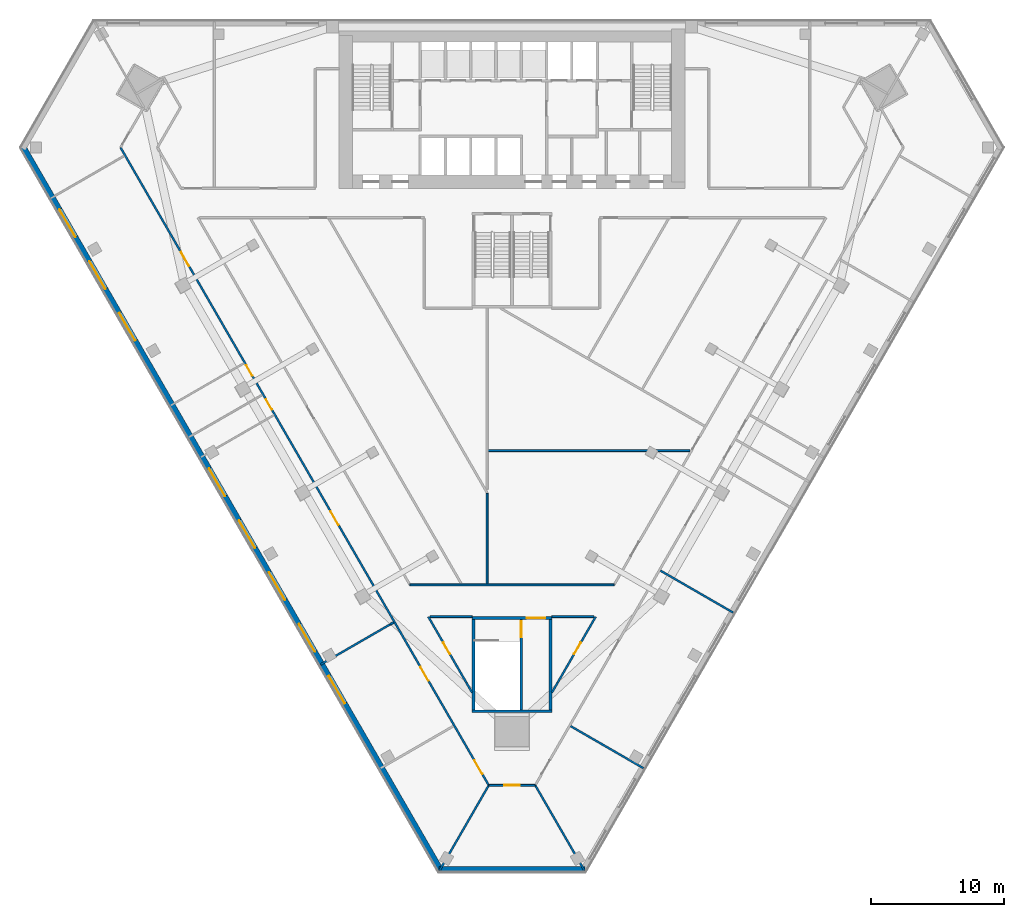
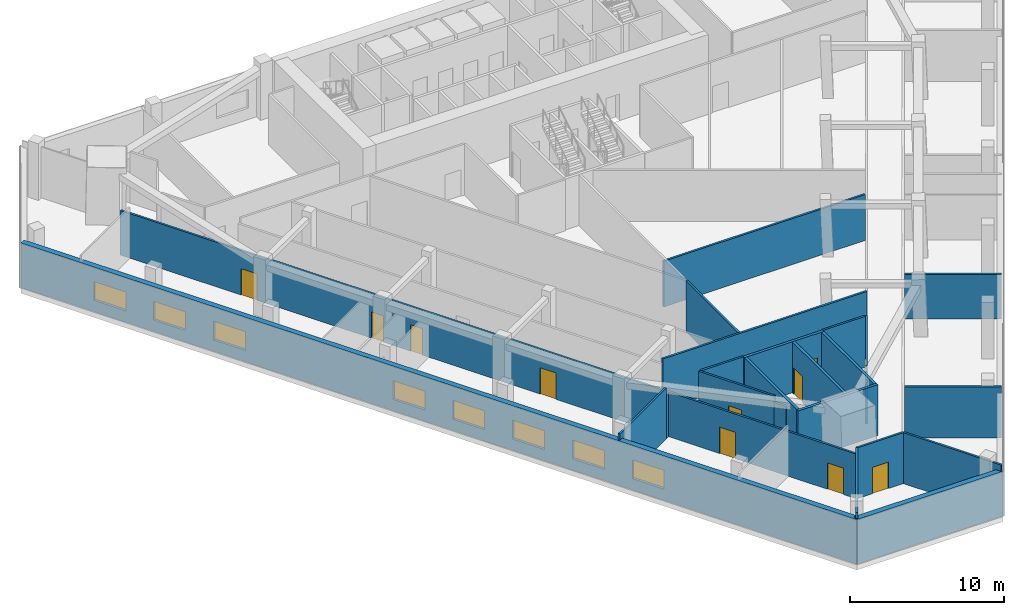
# One storey, part 2 of 9: 24 walls, 11 doors, 8 windows, 19 openings.
"""IFC4 building model written with IfcOpenShell, lengths in metres."""

from ifc_helpers import new_model, si_unit, direction, frame, frame_2d, origin, place, context, subcontext, project, spatial, rectangle, extrude, material, layer, layer_set, type_object, element, fill, save


model = new_model("IFC4")

# Units and contexts
model_context = context("Model", 3, precision=1e-05, world=origin(), true_north=direction((0.0, 1.0)))
body_context = subcontext(model_context, "Body", "Model", "MODEL_VIEW")
ifc_project = project(units=[si_unit("LENGTHUNIT", "METRE"), si_unit("AREAUNIT", "SQUARE_METRE"), si_unit("VOLUMEUNIT", "CUBIC_METRE"), si_unit("PLANEANGLEUNIT", "RADIAN"), si_unit("MASSUNIT", "GRAM", prefix="KILO")], contexts=[model_context])

# Site, building, storey
site_placement = place(None, origin())
site = spatial("IfcSite", under=ifc_project, at=site_placement, CompositionType="ELEMENT")
building_placement = place(site_placement, origin())
building = spatial("IfcBuilding", under=site, at=building_placement, Name="Altiplano Prism Tower", CompositionType="ELEMENT")
storey_placement = place(building_placement, frame((0.0, 0.0, 18.0)))
storey = spatial("IfcBuildingStorey", under=building, at=storey_placement, Name="L03", CompositionType="ELEMENT", Elevation=18.0)

# Wall, openings, doors
ifc_material_1 = material(Name="Plasterboard on steel stud", Category="steel")
ifc_layer_1 = layer(ifc_material_1, 0.14990234375)
ifc_layer_set_1 = layer_set([ifc_layer_1], Name="Plasterboard on steel stud")
wall_type_1 = type_object("IfcWallType", Name="Partition 150 corridor", PredefinedType="PARTITIONING", material=ifc_layer_set_1)
wall_1_placement = place(storey_placement, frame((55.5703125, 95.4736328125, 0.0), z_axis=(0.0, 0.0, 1.0), x_axis=(0.500000085768, -0.866025354266, 0.0)))
wall_1 = element("IfcWall", 1, at=wall_1_placement, inside=storey, type_object=wall_type_1, Name="Partition P06 L03 003", PredefinedType="PARTITIONING", context=body_context, shape_type="SweptSolid", body=[
    extrude(rectangle(XDim=55.36474609375, YDim=0.14990234375, at=frame_2d((27.682373046875, 0.0))), origin(), (0.0, 0.0, 1.0), 3.550048828125),
])
opening_1_placement = place(wall_1_placement, frame((9.08203125, 0.0, 0.0)))
opening_1 = element("IfcOpeningElement", 2, at=opening_1_placement, cuts=wall_1, Name="Opening D0083", PredefinedType="OPENING", context=body_context, shape_type="SweptSolid", body=[
    extrude(rectangle(XDim=1.199951171875, YDim=2.10009765625, at=frame_2d((0.60009765625, 1.050048828125))), frame((0.0, 0.08544921875, 0.0), z_axis=(0.0, -1.0, 0.0), x_axis=(1.0, 0.0, 0.0)), (0.0, 0.0, 1.0), 0.1708984375),
])
opening_2_placement = place(wall_1_placement, frame((18.906005859375, 0.0, 0.0)))
opening_2 = element("IfcOpeningElement", 3, at=opening_2_placement, cuts=wall_1, Name="Opening D0084", PredefinedType="OPENING", context=body_context, shape_type="SweptSolid", body=[
    extrude(rectangle(XDim=0.89990234375, YDim=2.10009765625, at=frame_2d((0.449951171875, 1.050048828125))), frame((0.0, 0.08544921875, 0.0), z_axis=(0.0, -1.0, 0.0), x_axis=(1.0, 0.0, 0.0)), (0.0, 0.0, 1.0), 0.1708984375),
])
opening_3_placement = place(wall_1_placement, frame((21.85595703125, 0.0, 0.0)))
opening_3 = element("IfcOpeningElement", 4, at=opening_3_placement, cuts=wall_1, Name="Opening D0085", PredefinedType="OPENING", context=body_context, shape_type="SweptSolid", body=[
    extrude(rectangle(XDim=0.89990234375, YDim=2.10009765625, at=frame_2d((0.449951171875, 1.050048828125))), frame((0.0, 0.08544921875, 0.0), z_axis=(0.0, -1.0, 0.0), x_axis=(1.0, 0.0, 0.0)), (0.0, 0.0, 1.0), 0.1708984375),
])
opening_4_placement = place(wall_1_placement, frame((31.58203125, 0.0, 0.0)))
opening_4 = element("IfcOpeningElement", 5, at=opening_4_placement, cuts=wall_1, Name="Opening D0086", PredefinedType="OPENING", context=body_context, shape_type="SweptSolid", body=[
    extrude(rectangle(XDim=1.199951171875, YDim=2.10009765625, at=frame_2d((0.60009765625, 1.050048828125))), frame((0.0, 0.08544921875, 0.0), z_axis=(0.0, -1.0, 0.0), x_axis=(1.0, 0.0, 0.0)), (0.0, 0.0, 1.0), 0.1708984375),
])
opening_5_placement = place(wall_1_placement, frame((45.08203125, 0.0, 0.0)))
opening_5 = element("IfcOpeningElement", 6, at=opening_5_placement, cuts=wall_1, Name="Opening D0087", PredefinedType="OPENING", context=body_context, shape_type="SweptSolid", body=[
    extrude(rectangle(XDim=1.199951171875, YDim=2.10009765625, at=frame_2d((0.60009765625, 1.050048828125))), frame((0.0, 0.08544921875, 0.0), z_axis=(0.0, -1.0, 0.0), x_axis=(1.0, 0.0, 0.0)), (0.0, 0.0, 1.0), 0.1708984375),
])
opening_6_placement = place(wall_1_placement, frame((53.195068359375, 0.0, 0.0)))
opening_6 = element("IfcOpeningElement", 7, at=opening_6_placement, cuts=wall_1, Name="Opening D0088", PredefinedType="OPENING", context=body_context, shape_type="SweptSolid", body=[
    extrude(rectangle(XDim=1.199951171875, YDim=2.10009765625, at=frame_2d((0.60009765625, 1.050048828125))), frame((0.0, 0.08544921875, 0.0), z_axis=(0.0, -1.0, 0.0), x_axis=(1.0, 0.0, 0.0)), (0.0, 0.0, 1.0), 0.1708984375),
])
ifc_material_2 = material(Name="Timber", Category="wood")
door_type_1 = type_object("IfcDoorType", Name="Shared room door 1200 x 2100", OperationType="NOTDEFINED", PredefinedType="NOTDEFINED", material=ifc_material_2)
door_1_placement = place(opening_1_placement, origin())
door_1 = element("IfcDoor", 8, at=door_1_placement, inside=storey, type_object=door_type_1, Name="Door D0083", OperationType="SINGLE_SWING_LEFT", OverallHeight=2.10009765625, OverallWidth=1.199951171875, PredefinedType="NOTDEFINED", context=body_context, shape_type="SweptSolid", body=[
    extrude(rectangle(XDim=1.199951171875, YDim=2.10009765625, at=frame_2d((0.60009765625, 1.050048828125))), frame((0.0, 0.02490234375, 0.0), z_axis=(0.0, -1.0, 0.0), x_axis=(1.0, 0.0, 0.0)), (0.0, 0.0, 1.0), 0.050048828125),
])
fill(opening_1, door_1)
door_2_placement = place(opening_4_placement, origin())
door_2 = element("IfcDoor", 9, at=door_2_placement, inside=storey, type_object=door_type_1, Name="Door D0086", OperationType="SINGLE_SWING_RIGHT", OverallHeight=2.10009765625, OverallWidth=1.199951171875, PredefinedType="NOTDEFINED", context=body_context, shape_type="SweptSolid", body=[
    extrude(rectangle(XDim=1.199951171875, YDim=2.10009765625, at=frame_2d((0.60009765625, 1.050048828125))), frame((0.0, 0.02490234375, 0.0), z_axis=(0.0, -1.0, 0.0), x_axis=(1.0, 0.0, 0.0)), (0.0, 0.0, 1.0), 0.050048828125),
])
fill(opening_4, door_2)
door_3_placement = place(opening_5_placement, origin())
door_3 = element("IfcDoor", 10, at=door_3_placement, inside=storey, type_object=door_type_1, Name="Door D0087", OperationType="SINGLE_SWING_RIGHT", OverallHeight=2.10009765625, OverallWidth=1.199951171875, PredefinedType="NOTDEFINED", context=body_context, shape_type="SweptSolid", body=[
    extrude(rectangle(XDim=1.199951171875, YDim=2.10009765625, at=frame_2d((0.60009765625, 1.050048828125))), frame((0.0, 0.02490234375, 0.0), z_axis=(0.0, -1.0, 0.0), x_axis=(1.0, 0.0, 0.0)), (0.0, 0.0, 1.0), 0.050048828125),
])
fill(opening_5, door_3)
door_4_placement = place(opening_6_placement, origin())
door_4 = element("IfcDoor", 11, at=door_4_placement, inside=storey, type_object=door_type_1, Name="Door D0088", OperationType="SINGLE_SWING_RIGHT", OverallHeight=2.10009765625, OverallWidth=1.199951171875, PredefinedType="NOTDEFINED", context=body_context, shape_type="SweptSolid", body=[
    extrude(rectangle(XDim=1.199951171875, YDim=2.10009765625, at=frame_2d((0.60009765625, 1.050048828125))), frame((0.0, 0.02490234375, 0.0), z_axis=(0.0, -1.0, 0.0), x_axis=(1.0, 0.0, 0.0)), (0.0, 0.0, 1.0), 0.050048828125),
])
fill(opening_6, door_4)
door_type_2 = type_object("IfcDoorType", Name="Toilet door 900 x 2100", OperationType="NOTDEFINED", PredefinedType="NOTDEFINED", material=ifc_material_2)
door_5_placement = place(opening_2_placement, origin())
door_5 = element("IfcDoor", 12, at=door_5_placement, inside=storey, type_object=door_type_2, Name="Door D0084", OperationType="SINGLE_SWING_RIGHT", OverallHeight=2.10009765625, OverallWidth=0.89990234375, PredefinedType="NOTDEFINED", context=body_context, shape_type="SweptSolid", body=[
    extrude(rectangle(XDim=0.89990234375, YDim=2.10009765625, at=frame_2d((0.449951171875, 1.050048828125))), frame((0.0, 0.02490234375, 0.0), z_axis=(0.0, -1.0, 0.0), x_axis=(1.0, 0.0, 0.0)), (0.0, 0.0, 1.0), 0.050048828125),
])
fill(opening_2, door_5)
door_6_placement = place(opening_3_placement, origin())
door_6 = element("IfcDoor", 13, at=door_6_placement, inside=storey, type_object=door_type_2, Name="Door D0085", OperationType="SINGLE_SWING_RIGHT", OverallHeight=2.10009765625, OverallWidth=0.89990234375, PredefinedType="NOTDEFINED", context=body_context, shape_type="SweptSolid", body=[
    extrude(rectangle(XDim=0.89990234375, YDim=2.10009765625, at=frame_2d((0.449951171875, 1.050048828125))), frame((0.0, 0.02490234375, 0.0), z_axis=(0.0, -1.0, 0.0), x_axis=(1.0, 0.0, 0.0)), (0.0, 0.0, 1.0), 0.050048828125),
])
fill(opening_3, door_6)

# Wall, opening, door
wall_2_placement = place(storey_placement, frame((83.252685546875, 47.5263671875, 0.0), z_axis=(0.0, 0.0, 1.0), x_axis=(1.0, 0.0, 0.0)))
wall_2 = element("IfcWall", 14, at=wall_2_placement, inside=storey, type_object=wall_type_1, Name="Partition P06 L03 004", PredefinedType="PARTITIONING", context=body_context, shape_type="SweptSolid", body=[
    extrude(rectangle(XDim=3.49462890625, YDim=0.14990234375, at=frame_2d((1.747314453125, 0.0))), origin(), (0.0, 0.0, 1.0), 4.050048828125),
])
opening_7_placement = place(wall_2_placement, frame((1.14697265625, 0.0, 0.0)))
opening_7 = element("IfcOpeningElement", 15, at=opening_7_placement, cuts=wall_2, Name="Opening D0089", PredefinedType="OPENING", context=body_context, shape_type="SweptSolid", body=[
    extrude(rectangle(XDim=1.199951171875, YDim=2.10009765625, at=frame_2d((0.60009765625, 1.050048828125))), frame((0.0, 0.08544921875, 0.0), z_axis=(0.0, -1.0, 0.0), x_axis=(1.0, 0.0, 0.0)), (0.0, 0.0, 1.0), 0.1708984375),
])
door_7_placement = place(opening_7_placement, origin())
door_7 = element("IfcDoor", 16, at=door_7_placement, inside=storey, type_object=door_type_1, Name="Door D0089", OperationType="SINGLE_SWING_RIGHT", OverallHeight=2.10009765625, OverallWidth=1.199951171875, PredefinedType="NOTDEFINED", context=body_context, shape_type="SweptSolid", body=[
    extrude(rectangle(XDim=1.199951171875, YDim=2.10009765625, at=frame_2d((0.60009765625, 1.050048828125))), frame((0.0, 0.02490234375, 0.0), z_axis=(0.0, -1.0, 0.0), x_axis=(1.0, 0.0, 0.0)), (0.0, 0.0, 1.0), 0.050048828125),
])
fill(opening_7, door_7)

# Walls
wall_3_placement = place(storey_placement, frame((92.67822265625, 62.60107421875, 0.0), z_axis=(0.0, 0.0, 1.0), x_axis=(-1.0, 0.0, 0.0)))
element("IfcWall", 17, at=wall_3_placement, inside=storey, type_object=wall_type_1, Name="Partition P06 L03 008", PredefinedType="PARTITIONING", context=body_context, shape_type="SweptSolid", body=[
    extrude(rectangle(XDim=15.3564453125, YDim=0.14990234375, at=frame_2d((7.67822265625, 0.0))), origin(), (0.0, 0.0, 1.0), 4.050048828125),
])
wall_4_placement = place(storey_placement, frame((88.0, 60.198974609375, 0.0), z_axis=(0.0, 0.0, 1.0), x_axis=(1.0, 0.0, 0.0)))
element("IfcWall", 18, at=wall_4_placement, inside=storey, type_object=wall_type_1, Name="Partition P06 L03 035", PredefinedType="PARTITIONING", context=body_context, shape_type="SweptSolid", body=[
    extrude(rectangle(XDim=3.161376953125, YDim=0.14990234375, at=frame_2d((1.58056640625, 0.0))), origin(), (0.0, 0.0, 1.0), 4.050048828125),
])

# Wall, opening, door
wall_5_placement = place(storey_placement, frame((91.29150390625, 60.198974609375, 0.0), z_axis=(0.0, 0.0, 1.0), x_axis=(-0.50000363893, -0.866023302837, 0.0)))
wall_5 = element("IfcWall", 19, at=wall_5_placement, inside=storey, type_object=wall_type_1, Name="Partition P06 L03 036", PredefinedType="PARTITIONING", context=body_context, shape_type="SweptSolid", body=[
    extrude(rectangle(XDim=5.68701171875, YDim=0.14990234375, at=frame_2d((2.843505859375, 0.0))), origin(), (0.0, 0.0, 1.0), 4.050048828125),
])
opening_8_placement = place(wall_5_placement, frame((2.242919921875, 0.0, 0.0)))
opening_8 = element("IfcOpeningElement", 20, at=opening_8_placement, cuts=wall_5, Name="Opening D0110", PredefinedType="OPENING", context=body_context, shape_type="SweptSolid", body=[
    extrude(rectangle(XDim=1.0, YDim=2.10009765625, at=frame_2d((0.5, 1.050048828125))), frame((0.0, 0.08544921875, 0.0), z_axis=(0.0, -1.0, 0.0), x_axis=(1.0, 0.0, 0.0)), (0.0, 0.0, 1.0), 0.1708984375),
])
door_type_3 = type_object("IfcDoorType", Name="Room door 1000 x 2100", OperationType="NOTDEFINED", PredefinedType="NOTDEFINED", material=ifc_material_2)
door_8_placement = place(opening_8_placement, origin())
door_8 = element("IfcDoor", 21, at=door_8_placement, inside=storey, type_object=door_type_3, Name="Door D0110", OperationType="SINGLE_SWING_LEFT", OverallHeight=2.10009765625, OverallWidth=1.0, PredefinedType="NOTDEFINED", context=body_context, shape_type="SweptSolid", body=[
    extrude(rectangle(XDim=1.0, YDim=2.10009765625, at=frame_2d((0.5, 1.050048828125))), frame((0.0, 0.02490234375, 0.0), z_axis=(0.0, -1.0, 0.0), x_axis=(1.0, 0.0, 0.0)), (0.0, 0.0, 1.0), 0.050048828125),
])
fill(opening_8, door_8)

# Walls
wall_6_placement = place(storey_placement, frame((88.447998046875, 55.27392578125, 0.0), z_axis=(0.0, 0.0, 1.0), x_axis=(-0.500036959603, -0.866004064096, 0.0)))
element("IfcWall", 22, at=wall_6_placement, inside=storey, type_object=wall_type_1, Name="Partition P06 L03 037", PredefinedType="PARTITIONING", context=body_context, shape_type="SweptSolid", body=[
    extrude(rectangle(XDim=0.89599609375, YDim=0.14990234375, at=frame_2d((0.447998046875, 0.0))), origin(), (0.0, 0.0, 1.0), 3.550048828125),
])
wall_7_placement = place(storey_placement, frame((82.0, 54.498291015625, 0.0), z_axis=(0.0, 0.0, 1.0), x_axis=(-0.499950561895, 0.866053945006, 0.0)))
element("IfcWall", 23, at=wall_7_placement, inside=storey, type_object=wall_type_1, Name="Partition P06 L03 038", PredefinedType="PARTITIONING", context=body_context, shape_type="SweptSolid", body=[
    extrude(rectangle(XDim=0.8955078125, YDim=0.14990234375, at=frame_2d((0.44775390625, 0.0))), origin(), (0.0, 0.0, 1.0), 3.550048828125),
])

# Wall, opening, door
wall_8_placement = place(storey_placement, frame((81.55224609375, 55.27392578125, 0.0), z_axis=(0.0, 0.0, 1.0), x_axis=(-0.50000363893, 0.866023302837, 0.0)))
wall_8 = element("IfcWall", 24, at=wall_8_placement, inside=storey, type_object=wall_type_1, Name="Partition P06 L03 039", PredefinedType="PARTITIONING", context=body_context, shape_type="SweptSolid", body=[
    extrude(rectangle(XDim=5.68701171875, YDim=0.14990234375, at=frame_2d((2.843505859375, 0.0))), origin(), (0.0, 0.0, 1.0), 4.050048828125),
])
opening_9_placement = place(wall_8_placement, frame((2.444091796875, 0.0, 0.0)))
opening_9 = element("IfcOpeningElement", 25, at=opening_9_placement, cuts=wall_8, Name="Opening D0111", PredefinedType="OPENING", context=body_context, shape_type="SweptSolid", body=[
    extrude(rectangle(XDim=1.0, YDim=2.10009765625, at=frame_2d((0.5, 1.050048828125))), frame((0.0, 0.08544921875, 0.0), z_axis=(0.0, -1.0, 0.0), x_axis=(1.0, 0.0, 0.0)), (0.0, 0.0, 1.0), 0.1708984375),
])
door_9_placement = place(opening_9_placement, origin())
door_9 = element("IfcDoor", 26, at=door_9_placement, inside=storey, type_object=door_type_3, Name="Door D0111", OperationType="SINGLE_SWING_RIGHT", OverallHeight=2.10009765625, OverallWidth=1.0, PredefinedType="NOTDEFINED", context=body_context, shape_type="SweptSolid", body=[
    extrude(rectangle(XDim=1.0, YDim=2.10009765625, at=frame_2d((0.5, 1.050048828125))), frame((0.0, 0.02490234375, 0.0), z_axis=(0.0, -1.0, 0.0), x_axis=(1.0, 0.0, 0.0)), (0.0, 0.0, 1.0), 0.050048828125),
])
fill(opening_9, door_9)

# Walls
wall_9_placement = place(storey_placement, frame((78.838623046875, 60.198974609375, 0.0), z_axis=(0.0, 0.0, 1.0), x_axis=(1.0, 0.0, 0.0)))
element("IfcWall", 27, at=wall_9_placement, inside=storey, type_object=wall_type_1, Name="Partition P06 L03 040", PredefinedType="PARTITIONING", context=body_context, shape_type="SweptSolid", body=[
    extrude(rectangle(XDim=3.161376953125, YDim=0.14990234375, at=frame_2d((1.58056640625, 0.0))), origin(), (0.0, 0.0, 1.0), 4.050048828125),
])
ifc_layer_2 = layer(ifc_material_1, 0.14990234375)
ifc_layer_set_2 = layer_set([ifc_layer_2], Name="Plasterboard on steel stud")
wall_type_2 = type_object("IfcWallType", Name="Partition 150 party", PredefinedType="PARTITIONING", material=ifc_layer_set_2)
wall_10_placement = place(storey_placement, frame((70.618896484375, 56.608642578125, 0.0), z_axis=(0.0, 0.0, 1.0), x_axis=(0.866019539041, 0.500010157896, 0.0)))
element("IfcWall", 28, at=wall_10_placement, inside=storey, type_object=wall_type_2, Name="Partition P01 L03 046", PredefinedType="PARTITIONING", context=body_context, shape_type="SweptSolid", body=[
    extrude(rectangle(XDim=6.023193359375, YDim=0.14990234375, at=frame_2d((3.01171875, 0.0))), origin(), (0.0, 0.0, 1.0), 4.050048828125),
])
wall_11_placement = place(storey_placement, frame((75.835205078125, 59.620361328125, 0.0), z_axis=(0.0, 0.0, 1.0), x_axis=(0.866145191815, 0.499792463624, 0.0)))
element("IfcWall", 29, at=wall_11_placement, inside=storey, type_object=wall_type_2, Name="Partition P01 L03 047", PredefinedType="PARTITIONING", context=body_context, shape_type="SweptSolid", body=[
    extrude(rectangle(XDim=0.302001953125, YDim=0.14990234375, at=frame_2d((0.15087890625, 0.0))), origin(), (0.0, 0.0, 1.0), 3.550048828125),
])
for number, where, z_axis, x_axis, name in (
    (30, (79.557861328125, 41.126220703125, 0.0), (0.0, 0.0, 1.0), (0.499969342782, 0.866043103014, 0.0), "Partition P01 L03 049"),
    (31, (90.4423828125, 41.126220703125, 0.0), (0.0, 0.0, 1.0), (-0.499994120305, 0.866028798401, 0.0), "Partition P01 L03 050"),
):
    element("IfcWall", number, at=place(storey_placement, frame(where, z_axis=z_axis, x_axis=x_axis)), inside=storey, type_object=wall_type_2, Name=name, PredefinedType="PARTITIONING", context=body_context, shape_type="SweptSolid", body=[
        extrude(rectangle(XDim=7.39013671875, YDim=0.14990234375, at=frame_2d((3.695068359375, 0.0))), origin(), (0.0, 0.0, 1.0), 4.050048828125),
    ])
wall_12_placement = place(storey_placement, frame((94.881103515625, 48.814453125, 0.0), z_axis=(0.0, 0.0, 1.0), x_axis=(-0.866042250622, 0.499970819286, 0.0)))
element("IfcWall", 32, at=wall_12_placement, inside=storey, type_object=wall_type_2, Name="Partition P01 L03 051", PredefinedType="PARTITIONING", context=body_context, shape_type="SweptSolid", body=[
    extrude(rectangle(XDim=6.3251953125, YDim=0.14990234375, at=frame_2d((3.16259765625, 0.0))), origin(), (0.0, 0.0, 1.0), 4.050048828125),
])
wall_13_placement = place(storey_placement, frame((101.631103515625, 60.505859375, 0.0), z_axis=(0.0, 0.0, 1.0), x_axis=(-0.866042250622, 0.499970819286, 0.0)))
element("IfcWall", 33, at=wall_13_placement, inside=storey, type_object=wall_type_2, Name="Partition P01 L03 052", PredefinedType="PARTITIONING", context=body_context, shape_type="SweptSolid", body=[
    extrude(rectangle(XDim=6.3251953125, YDim=0.14990234375, at=frame_2d((3.16259765625, 0.0))), origin(), (0.0, 0.0, 1.0), 3.550048828125),
])
wall_14_placement = place(storey_placement, frame((83.136962890625, 62.676025390625, 0.0), z_axis=(0.0, 0.0, 1.0), x_axis=(0.0, 1.0, 0.0)))
element("IfcWall", 34, at=wall_14_placement, inside=storey, type_object=wall_type_2, Name="Partition P01 L03 060", PredefinedType="PARTITIONING", context=body_context, shape_type="SweptSolid", body=[
    extrude(rectangle(XDim=6.79345703125, YDim=0.14990234375, at=frame_2d((3.396728515625, 0.0))), origin(), (0.0, 0.0, 1.0), 4.050048828125),
])
wall_15_placement = place(storey_placement, frame((98.367431640625, 72.679931640625, 0.0), z_axis=(0.0, 0.0, 1.0), x_axis=(-1.0, 0.0, 0.0)))
element("IfcWall", 35, at=wall_15_placement, inside=storey, type_object=wall_type_2, Name="Partition P01 L03 063", PredefinedType="PARTITIONING", context=body_context, shape_type="SweptSolid", body=[
    extrude(rectangle(XDim=15.1552734375, YDim=0.14990234375, at=frame_2d((7.57763671875, 0.0))), origin(), (0.0, 0.0, 1.0), 3.64990234375),
])

# Wall, opening, door
ifc_material_3 = material(Name="Concrete C60/75", Category="concrete")
ifc_layer_3 = layer(ifc_material_3, 0.199951171875)
ifc_layer_set_3 = layer_set([ifc_layer_3], Name="Concrete C60/75")
wall_type_3 = type_object("IfcWallType", Name="Stair wall 200", PredefinedType="SOLIDWALL", material=ifc_layer_set_3)
wall_16_placement = place(storey_placement, frame((82.0, 60.10009765625, 0.0), z_axis=(0.0, 0.0, 1.0), x_axis=(1.0, 0.0, 0.0)))
wall_16 = element("IfcWall", 36, at=wall_16_placement, inside=storey, type_object=wall_type_3, Name="Stair 4 wall north L03", PredefinedType="SOLIDWALL", context=body_context, shape_type="SweptSolid", body=[
    extrude(rectangle(XDim=6.0, YDim=0.199951171875, at=frame_2d((3.0, 0.0))), origin(), (0.0, 0.0, 1.0), 4.050048828125),
])
opening_10_placement = place(wall_16_placement, frame((4.10009765625, 0.0, 0.0)))
opening_10 = element("IfcOpeningElement", 37, at=opening_10_placement, cuts=wall_16, Name="Opening D4073", PredefinedType="OPENING", context=body_context, shape_type="SweptSolid", body=[
    extrude(rectangle(XDim=1.39990234375, YDim=2.10009765625, at=frame_2d((0.699951171875, 1.050048828125))), frame((0.0, 0.1103515625, 0.0), z_axis=(0.0, -1.0, 0.0), x_axis=(1.0, 0.0, 0.0)), (0.0, 0.0, 1.0), 0.220947265625),
])
ifc_material_4 = material(Name="Fire-rated steel door", Category="steel")
door_type_4 = type_object("IfcDoorType", Name="Stair fire door 1400 x 2100", OperationType="NOTDEFINED", PredefinedType="NOTDEFINED", material=ifc_material_4)
door_10_placement = place(opening_10_placement, origin())
door_10 = element("IfcDoor", 38, at=door_10_placement, inside=storey, type_object=door_type_4, Name="Stair fire door D4073", OperationType="SINGLE_SWING_LEFT", OverallHeight=2.10009765625, OverallWidth=1.39990234375, PredefinedType="NOTDEFINED", context=body_context, shape_type="SweptSolid", body=[
    extrude(rectangle(XDim=1.39990234375, YDim=2.10009765625, at=frame_2d((0.699951171875, 1.050048828125))), frame((0.0, 0.02490234375, 0.0), z_axis=(0.0, -1.0, 0.0), x_axis=(1.0, 0.0, 0.0)), (0.0, 0.0, 1.0), 0.050048828125),
])
fill(opening_10, door_10)

# Walls
wall_17_placement = place(storey_placement, frame((82.0, 53.10009765625, 0.0), z_axis=(0.0, 0.0, 1.0), x_axis=(1.0, 0.0, 0.0)))
element("IfcWall", 39, at=wall_17_placement, inside=storey, type_object=wall_type_3, Name="Stair 4 wall south L03", PredefinedType="SOLIDWALL", context=body_context, shape_type="SweptSolid", body=[
    extrude(rectangle(XDim=6.0, YDim=0.199951171875, at=frame_2d((3.0, 0.0))), origin(), (0.0, 0.0, 1.0), 4.050048828125),
])
for number, where, z_axis, x_axis, name in (
    (40, (82.10009765625, 53.199951171875, 0.0), (0.0, 0.0, 1.0), (0.0, 1.0, 0.0), "Stair 4 wall west L03"),
    (41, (87.89990234375, 53.199951171875, 0.0), (0.0, 0.0, 1.0), (0.0, 1.0, 0.0), "Stair 4 wall east L03"),
):
    element("IfcWall", number, at=place(storey_placement, frame(where, z_axis=z_axis, x_axis=x_axis)), inside=storey, type_object=wall_type_3, Name=name, PredefinedType="SOLIDWALL", context=body_context, shape_type="SweptSolid", body=[
        extrude(rectangle(XDim=6.800048828125, YDim=0.199951171875, at=frame_2d((3.39990234375, 0.0))), origin(), (0.0, 0.0, 1.0), 4.050048828125),
    ])

# Wall, opening, door
wall_18_placement = place(storey_placement, frame((85.699951171875, 53.199951171875, 0.0), z_axis=(0.0, 0.0, 1.0), x_axis=(0.0, 1.0, 0.0)))
wall_18 = element("IfcWall", 42, at=wall_18_placement, inside=storey, type_object=wall_type_3, Name="Stair 4 wall divider L03", PredefinedType="SOLIDWALL", context=body_context, shape_type="SweptSolid", body=[
    extrude(rectangle(XDim=6.800048828125, YDim=0.199951171875, at=frame_2d((3.39990234375, 0.0))), origin(), (0.0, 0.0, 1.0), 4.050048828125),
])
opening_11_placement = place(wall_18_placement, frame((5.449951171875, 0.0, 0.0)))
opening_11 = element("IfcOpeningElement", 43, at=opening_11_placement, cuts=wall_18, Name="Opening D4074", PredefinedType="OPENING", context=body_context, shape_type="SweptSolid", body=[
    extrude(rectangle(XDim=1.199951171875, YDim=2.10009765625, at=frame_2d((0.60009765625, 1.050048828125))), frame((0.0, 0.1103515625, 0.0), z_axis=(0.0, -1.0, 0.0), x_axis=(1.0, 0.0, 0.0)), (0.0, 0.0, 1.0), 0.220947265625),
])
door_type_5 = type_object("IfcDoorType", Name="Stair fire door 1200 x 2100", OperationType="NOTDEFINED", PredefinedType="NOTDEFINED", material=ifc_material_4)
door_11_placement = place(opening_11_placement, frame((1.199951171875, 0.0, 0.0), z_axis=(0.0, 0.0, 1.0), x_axis=(-1.0, 0.0, 0.0)))
door_11 = element("IfcDoor", 44, at=door_11_placement, inside=storey, type_object=door_type_5, Name="Stair fire door D4074", OperationType="SINGLE_SWING_LEFT", OverallHeight=2.10009765625, OverallWidth=1.199951171875, PredefinedType="NOTDEFINED", context=body_context, shape_type="SweptSolid", body=[
    extrude(rectangle(XDim=1.199951171875, YDim=2.10009765625, at=frame_2d((0.60009765625, 1.050048828125))), frame((0.0, 0.02490234375, 0.0), z_axis=(0.0, -1.0, 0.0), x_axis=(1.0, 0.0, 0.0)), (0.0, 0.0, 1.0), 0.050048828125),
])
fill(opening_11, door_11)

# Wall, openings, windows
ifc_material_5 = material(Name="Concrete C40", Category="concrete")
ifc_layer_4 = layer(ifc_material_5, 0.39990234375)
ifc_layer_set_4 = layer_set([ifc_layer_4], Name="Concrete C40")
wall_type_4 = type_object("IfcWallType", Name="Stone-clad podium wall 400", PredefinedType="SOLIDWALL", material=ifc_layer_set_4)
wall_19_placement = place(storey_placement, frame((79.673095703125, 41.126220703125, 0.0), z_axis=(0.0, 0.0, 1.0), x_axis=(-0.499997306052, 0.866026959131, 0.0)))
wall_19 = element("IfcWall", 45, at=wall_19_placement, inside=storey, type_object=wall_type_4, Name="External wall south-west face L03", PredefinedType="SOLIDWALL", context=body_context, shape_type="SweptSolid", body=[
    extrude(rectangle(XDim=62.870361328125, YDim=0.39990234375, at=frame_2d((31.43505859375, 0.0))), origin(), (0.0, 0.0, 1.0), 3.550048828125),
])
opening_12_placement = place(wall_19_placement, frame((54.985595703125, 0.0, 0.89990234375)))
opening_12 = element("IfcOpeningElement", 46, at=opening_12_placement, cuts=wall_19, Name="Opening W1", PredefinedType="OPENING", context=body_context, shape_type="SweptSolid", body=[
    extrude(rectangle(XDim=2.39990234375, YDim=1.5, at=frame_2d((1.199951171875, 0.75))), frame((0.0, 0.21044921875, 0.0), z_axis=(0.0, -1.0, 0.0), x_axis=(1.0, 0.0, 0.0)), (0.0, 0.0, 1.0), 0.4208984375),
])
opening_13_placement = place(wall_19_placement, frame((50.485595703125, 0.0, 0.89990234375)))
opening_13 = element("IfcOpeningElement", 47, at=opening_13_placement, cuts=wall_19, Name="Opening W1", PredefinedType="OPENING", context=body_context, shape_type="SweptSolid", body=[
    extrude(rectangle(XDim=2.39990234375, YDim=1.5, at=frame_2d((1.199951171875, 0.75))), frame((0.0, 0.21044921875, 0.0), z_axis=(0.0, -1.0, 0.0), x_axis=(1.0, 0.0, 0.0)), (0.0, 0.0, 1.0), 0.4208984375),
])
opening_14_placement = place(wall_19_placement, frame((45.985595703125, 0.0, 0.89990234375)))
opening_14 = element("IfcOpeningElement", 48, at=opening_14_placement, cuts=wall_19, Name="Opening W1", PredefinedType="OPENING", context=body_context, shape_type="SweptSolid", body=[
    extrude(rectangle(XDim=2.39990234375, YDim=1.5, at=frame_2d((1.199951171875, 0.75))), frame((0.0, 0.21044921875, 0.0), z_axis=(0.0, -1.0, 0.0), x_axis=(1.0, 0.0, 0.0)), (0.0, 0.0, 1.0), 0.4208984375),
])
opening_15_placement = place(wall_19_placement, frame((32.485595703125, 0.0, 0.89990234375)))
opening_15 = element("IfcOpeningElement", 49, at=opening_15_placement, cuts=wall_19, Name="Opening W1", PredefinedType="OPENING", context=body_context, shape_type="SweptSolid", body=[
    extrude(rectangle(XDim=2.39990234375, YDim=1.5, at=frame_2d((1.199951171875, 0.75))), frame((0.0, 0.21044921875, 0.0), z_axis=(0.0, -1.0, 0.0), x_axis=(1.0, 0.0, 0.0)), (0.0, 0.0, 1.0), 0.4208984375),
])
opening_16_placement = place(wall_19_placement, frame((27.985595703125, 0.0, 0.89990234375)))
opening_16 = element("IfcOpeningElement", 50, at=opening_16_placement, cuts=wall_19, Name="Opening W1", PredefinedType="OPENING", context=body_context, shape_type="SweptSolid", body=[
    extrude(rectangle(XDim=2.39990234375, YDim=1.5, at=frame_2d((1.199951171875, 0.75))), frame((0.0, 0.21044921875, 0.0), z_axis=(0.0, -1.0, 0.0), x_axis=(1.0, 0.0, 0.0)), (0.0, 0.0, 1.0), 0.4208984375),
])
opening_17_placement = place(wall_19_placement, frame((23.485595703125, 0.0, 0.89990234375)))
opening_17 = element("IfcOpeningElement", 51, at=opening_17_placement, cuts=wall_19, Name="Opening W1", PredefinedType="OPENING", context=body_context, shape_type="SweptSolid", body=[
    extrude(rectangle(XDim=2.39990234375, YDim=1.5, at=frame_2d((1.199951171875, 0.75))), frame((0.0, 0.21044921875, 0.0), z_axis=(0.0, -1.0, 0.0), x_axis=(1.0, 0.0, 0.0)), (0.0, 0.0, 1.0), 0.4208984375),
])
opening_18_placement = place(wall_19_placement, frame((18.985595703125, 0.0, 0.89990234375)))
opening_18 = element("IfcOpeningElement", 52, at=opening_18_placement, cuts=wall_19, Name="Opening W1", PredefinedType="OPENING", context=body_context, shape_type="SweptSolid", body=[
    extrude(rectangle(XDim=2.39990234375, YDim=1.5, at=frame_2d((1.199951171875, 0.75))), frame((0.0, 0.21044921875, 0.0), z_axis=(0.0, -1.0, 0.0), x_axis=(1.0, 0.0, 0.0)), (0.0, 0.0, 1.0), 0.4208984375),
])
opening_19_placement = place(wall_19_placement, frame((14.485595703125, 0.0, 0.89990234375)))
opening_19 = element("IfcOpeningElement", 53, at=opening_19_placement, cuts=wall_19, Name="Opening W1", PredefinedType="OPENING", context=body_context, shape_type="SweptSolid", body=[
    extrude(rectangle(XDim=2.39990234375, YDim=1.5, at=frame_2d((1.199951171875, 0.75))), frame((0.0, 0.21044921875, 0.0), z_axis=(0.0, -1.0, 0.0), x_axis=(1.0, 0.0, 0.0)), (0.0, 0.0, 1.0), 0.4208984375),
])
ifc_material_6 = material(Name="Glass", Category="glass")
window_type = type_object("IfcWindowType", Name="Window 2400 x 1500", PartitioningType="SINGLE_PANEL", PredefinedType="WINDOW", material=ifc_material_6)
window_1_placement = place(opening_12_placement, origin())
window_1 = element("IfcWindow", 54, at=window_1_placement, inside=storey, type_object=window_type, Name="Podium window L03", OverallHeight=1.5, OverallWidth=2.39990234375, PartitioningType="SINGLE_PANEL", PredefinedType="WINDOW", context=body_context, shape_type="SweptSolid", body=[
    extrude(rectangle(XDim=2.39990234375, YDim=1.5, at=frame_2d((1.199951171875, 0.75))), frame((0.0, 0.030029296875, 0.0), z_axis=(0.0, -1.0, 0.0), x_axis=(1.0, 0.0, 0.0)), (0.0, 0.0, 1.0), 0.06005859375),
])
fill(opening_12, window_1)
window_2_placement = place(opening_13_placement, origin())
window_2 = element("IfcWindow", 55, at=window_2_placement, inside=storey, type_object=window_type, Name="Podium window L03", OverallHeight=1.5, OverallWidth=2.39990234375, PartitioningType="SINGLE_PANEL", PredefinedType="WINDOW", context=body_context, shape_type="SweptSolid", body=[
    extrude(rectangle(XDim=2.39990234375, YDim=1.5, at=frame_2d((1.199951171875, 0.75))), frame((0.0, 0.030029296875, 0.0), z_axis=(0.0, -1.0, 0.0), x_axis=(1.0, 0.0, 0.0)), (0.0, 0.0, 1.0), 0.06005859375),
])
fill(opening_13, window_2)
window_3_placement = place(opening_14_placement, origin())
window_3 = element("IfcWindow", 56, at=window_3_placement, inside=storey, type_object=window_type, Name="Podium window L03", OverallHeight=1.5, OverallWidth=2.39990234375, PartitioningType="SINGLE_PANEL", PredefinedType="WINDOW", context=body_context, shape_type="SweptSolid", body=[
    extrude(rectangle(XDim=2.39990234375, YDim=1.5, at=frame_2d((1.199951171875, 0.75))), frame((0.0, 0.030029296875, 0.0), z_axis=(0.0, -1.0, 0.0), x_axis=(1.0, 0.0, 0.0)), (0.0, 0.0, 1.0), 0.06005859375),
])
fill(opening_14, window_3)
window_4_placement = place(opening_15_placement, origin())
window_4 = element("IfcWindow", 57, at=window_4_placement, inside=storey, type_object=window_type, Name="Podium window L03", OverallHeight=1.5, OverallWidth=2.39990234375, PartitioningType="SINGLE_PANEL", PredefinedType="WINDOW", context=body_context, shape_type="SweptSolid", body=[
    extrude(rectangle(XDim=2.39990234375, YDim=1.5, at=frame_2d((1.199951171875, 0.75))), frame((0.0, 0.030029296875, 0.0), z_axis=(0.0, -1.0, 0.0), x_axis=(1.0, 0.0, 0.0)), (0.0, 0.0, 1.0), 0.06005859375),
])
fill(opening_15, window_4)
window_5_placement = place(opening_16_placement, origin())
window_5 = element("IfcWindow", 58, at=window_5_placement, inside=storey, type_object=window_type, Name="Podium window L03", OverallHeight=1.5, OverallWidth=2.39990234375, PartitioningType="SINGLE_PANEL", PredefinedType="WINDOW", context=body_context, shape_type="SweptSolid", body=[
    extrude(rectangle(XDim=2.39990234375, YDim=1.5, at=frame_2d((1.199951171875, 0.75))), frame((0.0, 0.030029296875, 0.0), z_axis=(0.0, -1.0, 0.0), x_axis=(1.0, 0.0, 0.0)), (0.0, 0.0, 1.0), 0.06005859375),
])
fill(opening_16, window_5)
window_6_placement = place(opening_17_placement, origin())
window_6 = element("IfcWindow", 59, at=window_6_placement, inside=storey, type_object=window_type, Name="Podium window L03", OverallHeight=1.5, OverallWidth=2.39990234375, PartitioningType="SINGLE_PANEL", PredefinedType="WINDOW", context=body_context, shape_type="SweptSolid", body=[
    extrude(rectangle(XDim=2.39990234375, YDim=1.5, at=frame_2d((1.199951171875, 0.75))), frame((0.0, 0.030029296875, 0.0), z_axis=(0.0, -1.0, 0.0), x_axis=(1.0, 0.0, 0.0)), (0.0, 0.0, 1.0), 0.06005859375),
])
fill(opening_17, window_6)
window_7_placement = place(opening_18_placement, origin())
window_7 = element("IfcWindow", 60, at=window_7_placement, inside=storey, type_object=window_type, Name="Podium window L03", OverallHeight=1.5, OverallWidth=2.39990234375, PartitioningType="SINGLE_PANEL", PredefinedType="WINDOW", context=body_context, shape_type="SweptSolid", body=[
    extrude(rectangle(XDim=2.39990234375, YDim=1.5, at=frame_2d((1.199951171875, 0.75))), frame((0.0, 0.030029296875, 0.0), z_axis=(0.0, -1.0, 0.0), x_axis=(1.0, 0.0, 0.0)), (0.0, 0.0, 1.0), 0.06005859375),
])
fill(opening_18, window_7)
window_8_placement = place(opening_19_placement, origin())
window_8 = element("IfcWindow", 61, at=window_8_placement, inside=storey, type_object=window_type, Name="Podium window L03", OverallHeight=1.5, OverallWidth=2.39990234375, PartitioningType="SINGLE_PANEL", PredefinedType="WINDOW", context=body_context, shape_type="SweptSolid", body=[
    extrude(rectangle(XDim=2.39990234375, YDim=1.5, at=frame_2d((1.199951171875, 0.75))), frame((0.0, 0.030029296875, 0.0), z_axis=(0.0, -1.0, 0.0), x_axis=(1.0, 0.0, 0.0)), (0.0, 0.0, 1.0), 0.06005859375),
])
fill(opening_19, window_8)

# Wall
wall_20_placement = place(storey_placement, frame((90.5, 41.226318359375, 0.0), z_axis=(0.0, 0.0, 1.0), x_axis=(-1.0, 0.0, 0.0)))
element("IfcWall", 62, at=wall_20_placement, inside=storey, type_object=wall_type_4, Name="External wall south chamfer L03", PredefinedType="SOLIDWALL", context=body_context, shape_type="SweptSolid", body=[
    extrude(rectangle(XDim=11.0, YDim=0.39990234375, at=frame_2d((5.5, 0.0))), origin(), (0.0, 0.0, 1.0), 3.550048828125),
])

save(model, "model.ifc")
